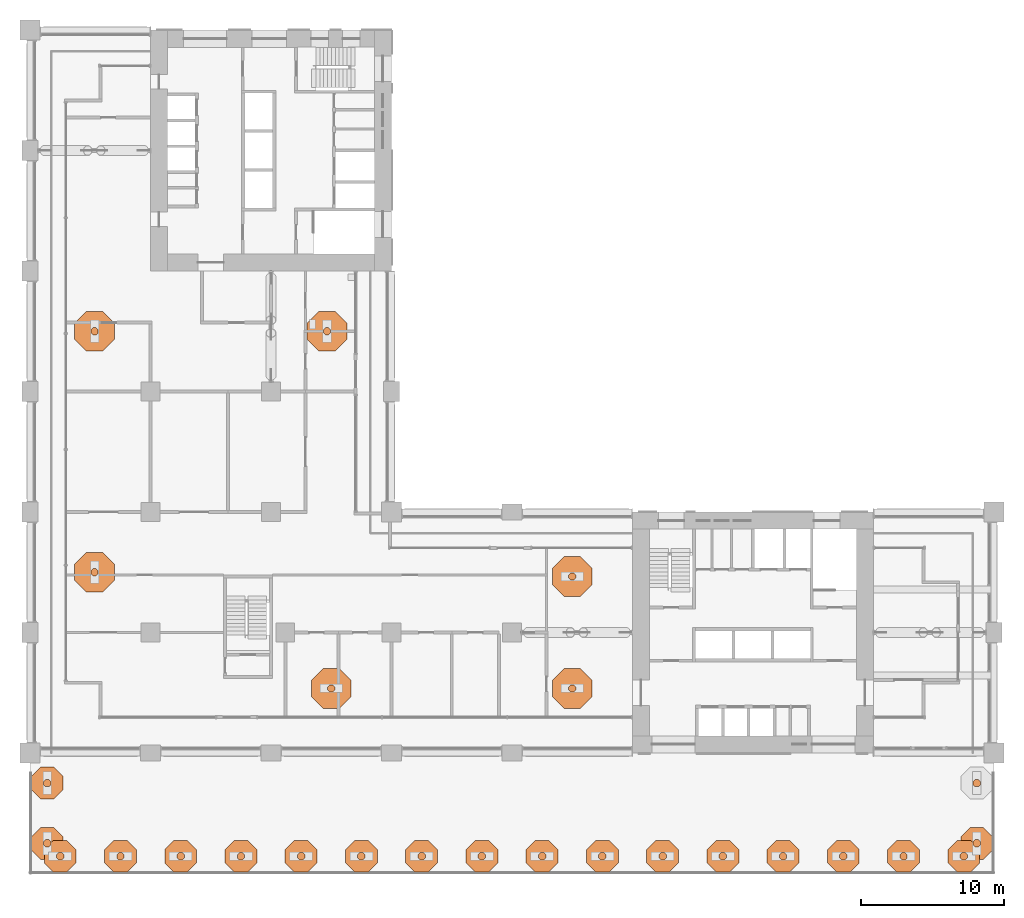
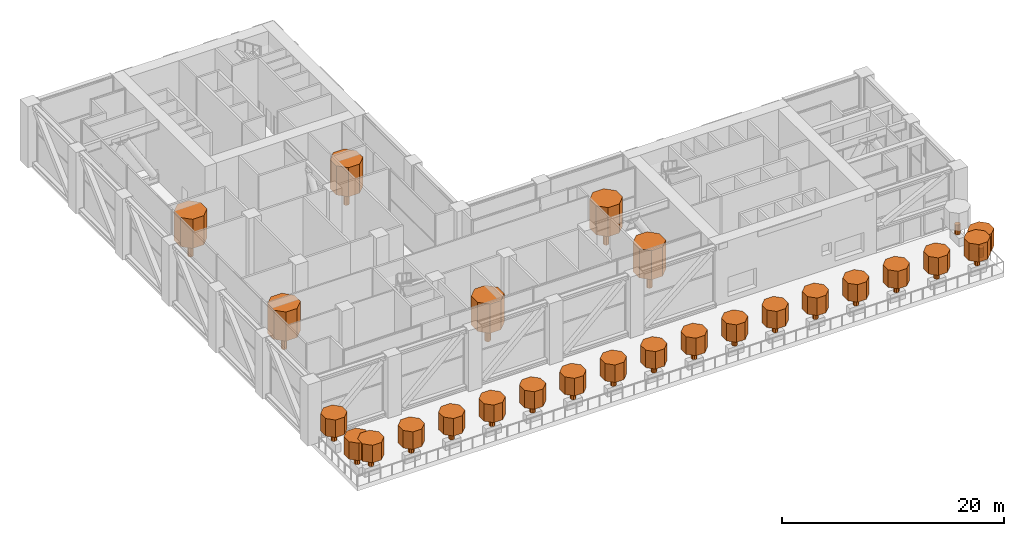
# One storey, part 27 of 28: 51 geographic elements.
"""IFC4 building model written with IfcOpenShell, lengths in metres."""

from ifc_helpers import new_model, si_unit, direction, frame, origin, place, context, subcontext, project, spatial, polyline, outline, extrude, material, element, save


model = new_model("IFC4")

# Units and contexts
model_context = context("Model", 3, precision=1e-05, world=origin(), true_north=direction((0.0, 1.0)))
body_context = subcontext(model_context, "Body", "Model", "MODEL_VIEW")
ifc_project = project(units=[si_unit("LENGTHUNIT", "METRE"), si_unit("AREAUNIT", "SQUARE_METRE"), si_unit("VOLUMEUNIT", "CUBIC_METRE"), si_unit("PLANEANGLEUNIT", "RADIAN"), si_unit("MASSUNIT", "GRAM", prefix="KILO")], contexts=[model_context])

# Site, building, storey
site_placement = place(None, origin())
site = spatial("IfcSite", under=ifc_project, at=site_placement, CompositionType="ELEMENT")
building_placement = place(site_placement, origin())
building = spatial("IfcBuilding", under=site, at=building_placement, Name="Vermilion Gate Residences", CompositionType="ELEMENT")
storey_placement = place(building_placement, frame((0.0, 0.0, 74.199951171875)))
storey = spatial("IfcBuildingStorey", under=building, at=storey_placement, Name="L18", CompositionType="ELEMENT", Elevation=74.199951171875)

# Geographic elements
ifc_material = material(Name="Foliage")
geographic_element_1_placement = place(storey_placement, frame((0.0, 0.0, 0.900146484375)))
element("IfcGeographicElement", 1, at=geographic_element_1_placement, inside=storey, material=ifc_material, Name="Tree (black pine)", ObjectType="TREE", PredefinedType="USERDEFINED", context=body_context, shape_type="SweptSolid", body=[
    extrude(outline(polyline([(66.254150390625, 2.205078125), (66.105224609375, 2.35400390625), (65.894775390625, 2.35400390625), (65.745849609375, 2.205078125), (65.745849609375, 1.994873046875), (65.894775390625, 1.845947265625), (66.105224609375, 1.845947265625), (66.254150390625, 1.994873046875), (66.254150390625, 2.205078125)])), origin(), (0.0, 0.0, 1.0), 1.079833984375),
])
geographic_element_2_placement = place(storey_placement, frame((0.0, 0.0, 1.97998046875)))
element("IfcGeographicElement", 2, at=geographic_element_2_placement, inside=storey, material=ifc_material, Name="Tree crown (black pine)", ObjectType="TREE", PredefinedType="USERDEFINED", context=body_context, shape_type="SweptSolid", body=[
    extrude(outline(polyline([(67.108642578125, 2.55908203125), (66.459228515625, 3.208740234375), (65.540771484375, 3.208740234375), (64.891357421875, 2.55908203125), (64.891357421875, 1.640869140625), (65.540771484375, 0.9912109375), (66.459228515625, 0.9912109375), (67.108642578125, 1.640869140625), (67.108642578125, 2.55908203125)])), origin(), (0.0, 0.0, 1.0), 1.920166015625),
])
geographic_element_3_placement = place(storey_placement, frame((0.0, 0.0, 0.900146484375)))
element("IfcGeographicElement", 3, at=geographic_element_3_placement, inside=storey, material=ifc_material, Name="Tree (fringe tree)", ObjectType="TREE", PredefinedType="USERDEFINED", context=body_context, shape_type="SweptSolid", body=[
    extrude(outline(polyline([(66.254150390625, 6.4052734375), (66.105224609375, 6.55419921875), (65.894775390625, 6.55419921875), (65.745849609375, 6.4052734375), (65.745849609375, 6.19482421875), (65.894775390625, 6.0458984375), (66.105224609375, 6.0458984375), (66.254150390625, 6.19482421875), (66.254150390625, 6.4052734375)])), origin(), (0.0, 0.0, 1.0), 1.079833984375),
])
geographic_element_4_placement = place(storey_placement, frame((0.0, 0.0, 0.900146484375)))
element("IfcGeographicElement", 4, at=geographic_element_4_placement, inside=storey, material=ifc_material, Name="Tree (fringe tree)", ObjectType="TREE", PredefinedType="USERDEFINED", context=body_context, shape_type="SweptSolid", body=[
    extrude(outline(polyline([(1.4541015625, 6.4052734375), (1.30517578125, 6.55419921875), (1.0947265625, 6.55419921875), (0.94580078125, 6.4052734375), (0.94580078125, 6.19482421875), (1.0947265625, 6.0458984375), (1.30517578125, 6.0458984375), (1.4541015625, 6.19482421875), (1.4541015625, 6.4052734375)])), origin(), (0.0, 0.0, 1.0), 1.079833984375),
])
geographic_element_5_placement = place(storey_placement, frame((0.0, 0.0, 1.97998046875)))
element("IfcGeographicElement", 5, at=geographic_element_5_placement, inside=storey, material=ifc_material, Name="Tree crown (fringe tree)", ObjectType="TREE", PredefinedType="USERDEFINED", context=body_context, shape_type="SweptSolid", body=[
    extrude(outline(polyline([(2.30859375, 6.75927734375), (1.6591796875, 7.40869140625), (0.74072265625, 7.40869140625), (0.09130859375, 6.75927734375), (0.09130859375, 5.8408203125), (0.74072265625, 5.19140625), (1.6591796875, 5.19140625), (2.30859375, 5.8408203125), (2.30859375, 6.75927734375)])), origin(), (0.0, 0.0, 1.0), 1.920166015625),
])
geographic_element_6_placement = place(storey_placement, frame((0.0, 0.0, 0.900146484375)))
element("IfcGeographicElement", 6, at=geographic_element_6_placement, inside=storey, material=ifc_material, Name="Tree (maple)", ObjectType="TREE", PredefinedType="USERDEFINED", context=body_context, shape_type="SweptSolid", body=[
    extrude(outline(polyline([(1.4541015625, 2.205078125), (1.30517578125, 2.35400390625), (1.0947265625, 2.35400390625), (0.94580078125, 2.205078125), (0.94580078125, 1.994873046875), (1.0947265625, 1.845947265625), (1.30517578125, 1.845947265625), (1.4541015625, 1.994873046875), (1.4541015625, 2.205078125)])), origin(), (0.0, 0.0, 1.0), 1.079833984375),
])
geographic_element_7_placement = place(storey_placement, frame((0.0, 0.0, 1.97998046875)))
element("IfcGeographicElement", 7, at=geographic_element_7_placement, inside=storey, material=ifc_material, Name="Tree crown (maple)", ObjectType="TREE", PredefinedType="USERDEFINED", context=body_context, shape_type="SweptSolid", body=[
    extrude(outline(polyline([(2.30859375, 2.55908203125), (1.6591796875, 3.208740234375), (0.74072265625, 3.208740234375), (0.09130859375, 2.55908203125), (0.09130859375, 1.640869140625), (0.74072265625, 0.9912109375), (1.6591796875, 0.9912109375), (2.30859375, 1.640869140625), (2.30859375, 2.55908203125)])), origin(), (0.0, 0.0, 1.0), 1.920166015625),
])
geographic_element_8_placement = place(storey_placement, frame((0.0, 0.0, 0.900146484375)))
element("IfcGeographicElement", 8, at=geographic_element_8_placement, inside=storey, material=ifc_material, Name="Tree (maple)", ObjectType="TREE", PredefinedType="USERDEFINED", context=body_context, shape_type="SweptSolid", body=[
    extrude(outline(polyline([(2.35400390625, 1.30517578125), (2.205078125, 1.4541015625), (1.994873046875, 1.4541015625), (1.845947265625, 1.30517578125), (1.845947265625, 1.0947265625), (1.994873046875, 0.94580078125), (2.205078125, 0.94580078125), (2.35400390625, 1.0947265625), (2.35400390625, 1.30517578125)])), origin(), (0.0, 0.0, 1.0), 1.079833984375),
])
geographic_element_9_placement = place(storey_placement, frame((0.0, 0.0, 1.97998046875)))
element("IfcGeographicElement", 9, at=geographic_element_9_placement, inside=storey, material=ifc_material, Name="Tree crown (maple)", ObjectType="TREE", PredefinedType="USERDEFINED", context=body_context, shape_type="SweptSolid", body=[
    extrude(outline(polyline([(3.208740234375, 1.6591796875), (2.55908203125, 2.30859375), (1.640869140625, 2.30859375), (0.9912109375, 1.6591796875), (0.9912109375, 0.74072265625), (1.640869140625, 0.09130859375), (2.55908203125, 0.09130859375), (3.208740234375, 0.74072265625), (3.208740234375, 1.6591796875)])), origin(), (0.0, 0.0, 1.0), 1.920166015625),
])
geographic_element_10_placement = place(storey_placement, frame((0.0, 0.0, 0.900146484375)))
element("IfcGeographicElement", 10, at=geographic_element_10_placement, inside=storey, material=ifc_material, Name="Tree (zelkova)", ObjectType="TREE", PredefinedType="USERDEFINED", context=body_context, shape_type="SweptSolid", body=[
    extrude(outline(polyline([(6.55419921875, 1.30517578125), (6.4052734375, 1.4541015625), (6.19482421875, 1.4541015625), (6.0458984375, 1.30517578125), (6.0458984375, 1.0947265625), (6.19482421875, 0.94580078125), (6.4052734375, 0.94580078125), (6.55419921875, 1.0947265625), (6.55419921875, 1.30517578125)])), origin(), (0.0, 0.0, 1.0), 1.079833984375),
])
geographic_element_11_placement = place(storey_placement, frame((0.0, 0.0, 1.97998046875)))
element("IfcGeographicElement", 11, at=geographic_element_11_placement, inside=storey, material=ifc_material, Name="Tree crown (zelkova)", ObjectType="TREE", PredefinedType="USERDEFINED", context=body_context, shape_type="SweptSolid", body=[
    extrude(outline(polyline([(7.40869140625, 1.6591796875), (6.75927734375, 2.30859375), (5.8408203125, 2.30859375), (5.19140625, 1.6591796875), (5.19140625, 0.74072265625), (5.8408203125, 0.09130859375), (6.75927734375, 0.09130859375), (7.40869140625, 0.74072265625), (7.40869140625, 1.6591796875)])), origin(), (0.0, 0.0, 1.0), 1.920166015625),
])
geographic_element_12_placement = place(storey_placement, frame((0.0, 0.0, 0.900146484375)))
element("IfcGeographicElement", 12, at=geographic_element_12_placement, inside=storey, material=ifc_material, Name="Tree (black pine)", ObjectType="TREE", PredefinedType="USERDEFINED", context=body_context, shape_type="SweptSolid", body=[
    extrude(outline(polyline([(10.754150390625, 1.30517578125), (10.605224609375, 1.4541015625), (10.394775390625, 1.4541015625), (10.245849609375, 1.30517578125), (10.245849609375, 1.0947265625), (10.394775390625, 0.94580078125), (10.605224609375, 0.94580078125), (10.754150390625, 1.0947265625), (10.754150390625, 1.30517578125)])), origin(), (0.0, 0.0, 1.0), 1.079833984375),
])
geographic_element_13_placement = place(storey_placement, frame((0.0, 0.0, 1.97998046875)))
element("IfcGeographicElement", 13, at=geographic_element_13_placement, inside=storey, material=ifc_material, Name="Tree crown (black pine)", ObjectType="TREE", PredefinedType="USERDEFINED", context=body_context, shape_type="SweptSolid", body=[
    extrude(outline(polyline([(11.608642578125, 1.6591796875), (10.959228515625, 2.30859375), (10.040771484375, 2.30859375), (9.391357421875, 1.6591796875), (9.391357421875, 0.74072265625), (10.040771484375, 0.09130859375), (10.959228515625, 0.09130859375), (11.608642578125, 0.74072265625), (11.608642578125, 1.6591796875)])), origin(), (0.0, 0.0, 1.0), 1.920166015625),
])
geographic_element_14_placement = place(storey_placement, frame((0.0, 0.0, 0.900146484375)))
element("IfcGeographicElement", 14, at=geographic_element_14_placement, inside=storey, material=ifc_material, Name="Tree (fringe tree)", ObjectType="TREE", PredefinedType="USERDEFINED", context=body_context, shape_type="SweptSolid", body=[
    extrude(outline(polyline([(14.9541015625, 1.30517578125), (14.80517578125, 1.4541015625), (14.5947265625, 1.4541015625), (14.44580078125, 1.30517578125), (14.44580078125, 1.0947265625), (14.5947265625, 0.94580078125), (14.80517578125, 0.94580078125), (14.9541015625, 1.0947265625), (14.9541015625, 1.30517578125)])), origin(), (0.0, 0.0, 1.0), 1.079833984375),
])
geographic_element_15_placement = place(storey_placement, frame((0.0, 0.0, 1.97998046875)))
element("IfcGeographicElement", 15, at=geographic_element_15_placement, inside=storey, material=ifc_material, Name="Tree crown (fringe tree)", ObjectType="TREE", PredefinedType="USERDEFINED", context=body_context, shape_type="SweptSolid", body=[
    extrude(outline(polyline([(15.80859375, 1.6591796875), (15.1591796875, 2.30859375), (14.24072265625, 2.30859375), (13.59130859375, 1.6591796875), (13.59130859375, 0.74072265625), (14.24072265625, 0.09130859375), (15.1591796875, 0.09130859375), (15.80859375, 0.74072265625), (15.80859375, 1.6591796875)])), origin(), (0.0, 0.0, 1.0), 1.920166015625),
])
geographic_element_16_placement = place(storey_placement, frame((0.0, 0.0, 0.900146484375)))
element("IfcGeographicElement", 16, at=geographic_element_16_placement, inside=storey, material=ifc_material, Name="Tree (maple)", ObjectType="TREE", PredefinedType="USERDEFINED", context=body_context, shape_type="SweptSolid", body=[
    extrude(outline(polyline([(19.154052734375, 1.30517578125), (19.005126953125, 1.4541015625), (18.794921875, 1.4541015625), (18.64599609375, 1.30517578125), (18.64599609375, 1.0947265625), (18.794921875, 0.94580078125), (19.005126953125, 0.94580078125), (19.154052734375, 1.0947265625), (19.154052734375, 1.30517578125)])), origin(), (0.0, 0.0, 1.0), 1.079833984375),
])
geographic_element_17_placement = place(storey_placement, frame((0.0, 0.0, 1.97998046875)))
element("IfcGeographicElement", 17, at=geographic_element_17_placement, inside=storey, material=ifc_material, Name="Tree crown (maple)", ObjectType="TREE", PredefinedType="USERDEFINED", context=body_context, shape_type="SweptSolid", body=[
    extrude(outline(polyline([(20.0087890625, 1.6591796875), (19.359130859375, 2.30859375), (18.44091796875, 2.30859375), (17.791259765625, 1.6591796875), (17.791259765625, 0.74072265625), (18.44091796875, 0.09130859375), (19.359130859375, 0.09130859375), (20.0087890625, 0.74072265625), (20.0087890625, 1.6591796875)])), origin(), (0.0, 0.0, 1.0), 1.920166015625),
])
geographic_element_18_placement = place(storey_placement, frame((0.0, 0.0, 0.900146484375)))
element("IfcGeographicElement", 18, at=geographic_element_18_placement, inside=storey, material=ifc_material, Name="Tree (zelkova)", ObjectType="TREE", PredefinedType="USERDEFINED", context=body_context, shape_type="SweptSolid", body=[
    extrude(outline(polyline([(23.35400390625, 1.30517578125), (23.205078125, 1.4541015625), (22.994873046875, 1.4541015625), (22.845947265625, 1.30517578125), (22.845947265625, 1.0947265625), (22.994873046875, 0.94580078125), (23.205078125, 0.94580078125), (23.35400390625, 1.0947265625), (23.35400390625, 1.30517578125)])), origin(), (0.0, 0.0, 1.0), 1.079833984375),
])
geographic_element_19_placement = place(storey_placement, frame((0.0, 0.0, 1.97998046875)))
element("IfcGeographicElement", 19, at=geographic_element_19_placement, inside=storey, material=ifc_material, Name="Tree crown (zelkova)", ObjectType="TREE", PredefinedType="USERDEFINED", context=body_context, shape_type="SweptSolid", body=[
    extrude(outline(polyline([(24.208740234375, 1.6591796875), (23.55908203125, 2.30859375), (22.640869140625, 2.30859375), (21.9912109375, 1.6591796875), (21.9912109375, 0.74072265625), (22.640869140625, 0.09130859375), (23.55908203125, 0.09130859375), (24.208740234375, 0.74072265625), (24.208740234375, 1.6591796875)])), origin(), (0.0, 0.0, 1.0), 1.920166015625),
])
geographic_element_20_placement = place(storey_placement, frame((0.0, 0.0, 0.900146484375)))
element("IfcGeographicElement", 20, at=geographic_element_20_placement, inside=storey, material=ifc_material, Name="Tree (black pine)", ObjectType="TREE", PredefinedType="USERDEFINED", context=body_context, shape_type="SweptSolid", body=[
    extrude(outline(polyline([(27.55419921875, 1.30517578125), (27.4052734375, 1.4541015625), (27.19482421875, 1.4541015625), (27.0458984375, 1.30517578125), (27.0458984375, 1.0947265625), (27.19482421875, 0.94580078125), (27.4052734375, 0.94580078125), (27.55419921875, 1.0947265625), (27.55419921875, 1.30517578125)])), origin(), (0.0, 0.0, 1.0), 1.079833984375),
])
geographic_element_21_placement = place(storey_placement, frame((0.0, 0.0, 1.97998046875)))
element("IfcGeographicElement", 21, at=geographic_element_21_placement, inside=storey, material=ifc_material, Name="Tree crown (black pine)", ObjectType="TREE", PredefinedType="USERDEFINED", context=body_context, shape_type="SweptSolid", body=[
    extrude(outline(polyline([(28.40869140625, 1.6591796875), (27.75927734375, 2.30859375), (26.8408203125, 2.30859375), (26.19140625, 1.6591796875), (26.19140625, 0.74072265625), (26.8408203125, 0.09130859375), (27.75927734375, 0.09130859375), (28.40869140625, 0.74072265625), (28.40869140625, 1.6591796875)])), origin(), (0.0, 0.0, 1.0), 1.920166015625),
])
geographic_element_22_placement = place(storey_placement, frame((0.0, 0.0, 0.900146484375)))
element("IfcGeographicElement", 22, at=geographic_element_22_placement, inside=storey, material=ifc_material, Name="Tree (fringe tree)", ObjectType="TREE", PredefinedType="USERDEFINED", context=body_context, shape_type="SweptSolid", body=[
    extrude(outline(polyline([(31.754150390625, 1.30517578125), (31.605224609375, 1.4541015625), (31.394775390625, 1.4541015625), (31.245849609375, 1.30517578125), (31.245849609375, 1.0947265625), (31.394775390625, 0.94580078125), (31.605224609375, 0.94580078125), (31.754150390625, 1.0947265625), (31.754150390625, 1.30517578125)])), origin(), (0.0, 0.0, 1.0), 1.079833984375),
])
geographic_element_23_placement = place(storey_placement, frame((0.0, 0.0, 1.97998046875)))
element("IfcGeographicElement", 23, at=geographic_element_23_placement, inside=storey, material=ifc_material, Name="Tree crown (fringe tree)", ObjectType="TREE", PredefinedType="USERDEFINED", context=body_context, shape_type="SweptSolid", body=[
    extrude(outline(polyline([(32.608642578125, 1.6591796875), (31.959228515625, 2.30859375), (31.040771484375, 2.30859375), (30.391357421875, 1.6591796875), (30.391357421875, 0.74072265625), (31.040771484375, 0.09130859375), (31.959228515625, 0.09130859375), (32.608642578125, 0.74072265625), (32.608642578125, 1.6591796875)])), origin(), (0.0, 0.0, 1.0), 1.920166015625),
])
geographic_element_24_placement = place(storey_placement, frame((0.0, 0.0, 0.900146484375)))
element("IfcGeographicElement", 24, at=geographic_element_24_placement, inside=storey, material=ifc_material, Name="Tree (maple)", ObjectType="TREE", PredefinedType="USERDEFINED", context=body_context, shape_type="SweptSolid", body=[
    extrude(outline(polyline([(35.9541015625, 1.30517578125), (35.80517578125, 1.4541015625), (35.5947265625, 1.4541015625), (35.44580078125, 1.30517578125), (35.44580078125, 1.0947265625), (35.5947265625, 0.94580078125), (35.80517578125, 0.94580078125), (35.9541015625, 1.0947265625), (35.9541015625, 1.30517578125)])), origin(), (0.0, 0.0, 1.0), 1.079833984375),
])
geographic_element_25_placement = place(storey_placement, frame((0.0, 0.0, 1.97998046875)))
element("IfcGeographicElement", 25, at=geographic_element_25_placement, inside=storey, material=ifc_material, Name="Tree crown (maple)", ObjectType="TREE", PredefinedType="USERDEFINED", context=body_context, shape_type="SweptSolid", body=[
    extrude(outline(polyline([(36.80859375, 1.6591796875), (36.1591796875, 2.30859375), (35.24072265625, 2.30859375), (34.59130859375, 1.6591796875), (34.59130859375, 0.74072265625), (35.24072265625, 0.09130859375), (36.1591796875, 0.09130859375), (36.80859375, 0.74072265625), (36.80859375, 1.6591796875)])), origin(), (0.0, 0.0, 1.0), 1.920166015625),
])
geographic_element_26_placement = place(storey_placement, frame((0.0, 0.0, 0.900146484375)))
element("IfcGeographicElement", 26, at=geographic_element_26_placement, inside=storey, material=ifc_material, Name="Tree (zelkova)", ObjectType="TREE", PredefinedType="USERDEFINED", context=body_context, shape_type="SweptSolid", body=[
    extrude(outline(polyline([(40.154052734375, 1.30517578125), (40.005126953125, 1.4541015625), (39.794921875, 1.4541015625), (39.64599609375, 1.30517578125), (39.64599609375, 1.0947265625), (39.794921875, 0.94580078125), (40.005126953125, 0.94580078125), (40.154052734375, 1.0947265625), (40.154052734375, 1.30517578125)])), origin(), (0.0, 0.0, 1.0), 1.079833984375),
])
geographic_element_27_placement = place(storey_placement, frame((0.0, 0.0, 1.97998046875)))
element("IfcGeographicElement", 27, at=geographic_element_27_placement, inside=storey, material=ifc_material, Name="Tree crown (zelkova)", ObjectType="TREE", PredefinedType="USERDEFINED", context=body_context, shape_type="SweptSolid", body=[
    extrude(outline(polyline([(41.0087890625, 1.6591796875), (40.359130859375, 2.30859375), (39.44091796875, 2.30859375), (38.791259765625, 1.6591796875), (38.791259765625, 0.74072265625), (39.44091796875, 0.09130859375), (40.359130859375, 0.09130859375), (41.0087890625, 0.74072265625), (41.0087890625, 1.6591796875)])), origin(), (0.0, 0.0, 1.0), 1.920166015625),
])
geographic_element_28_placement = place(storey_placement, frame((0.0, 0.0, 0.900146484375)))
element("IfcGeographicElement", 28, at=geographic_element_28_placement, inside=storey, material=ifc_material, Name="Tree (black pine)", ObjectType="TREE", PredefinedType="USERDEFINED", context=body_context, shape_type="SweptSolid", body=[
    extrude(outline(polyline([(44.35400390625, 1.30517578125), (44.205078125, 1.4541015625), (43.994873046875, 1.4541015625), (43.845947265625, 1.30517578125), (43.845947265625, 1.0947265625), (43.994873046875, 0.94580078125), (44.205078125, 0.94580078125), (44.35400390625, 1.0947265625), (44.35400390625, 1.30517578125)])), origin(), (0.0, 0.0, 1.0), 1.079833984375),
])
geographic_element_29_placement = place(storey_placement, frame((0.0, 0.0, 1.97998046875)))
element("IfcGeographicElement", 29, at=geographic_element_29_placement, inside=storey, material=ifc_material, Name="Tree crown (black pine)", ObjectType="TREE", PredefinedType="USERDEFINED", context=body_context, shape_type="SweptSolid", body=[
    extrude(outline(polyline([(45.208740234375, 1.6591796875), (44.55908203125, 2.30859375), (43.640869140625, 2.30859375), (42.9912109375, 1.6591796875), (42.9912109375, 0.74072265625), (43.640869140625, 0.09130859375), (44.55908203125, 0.09130859375), (45.208740234375, 0.74072265625), (45.208740234375, 1.6591796875)])), origin(), (0.0, 0.0, 1.0), 1.920166015625),
])
geographic_element_30_placement = place(storey_placement, frame((0.0, 0.0, 0.900146484375)))
element("IfcGeographicElement", 30, at=geographic_element_30_placement, inside=storey, material=ifc_material, Name="Tree (fringe tree)", ObjectType="TREE", PredefinedType="USERDEFINED", context=body_context, shape_type="SweptSolid", body=[
    extrude(outline(polyline([(48.55419921875, 1.30517578125), (48.4052734375, 1.4541015625), (48.19482421875, 1.4541015625), (48.0458984375, 1.30517578125), (48.0458984375, 1.0947265625), (48.19482421875, 0.94580078125), (48.4052734375, 0.94580078125), (48.55419921875, 1.0947265625), (48.55419921875, 1.30517578125)])), origin(), (0.0, 0.0, 1.0), 1.079833984375),
])
geographic_element_31_placement = place(storey_placement, frame((0.0, 0.0, 1.97998046875)))
element("IfcGeographicElement", 31, at=geographic_element_31_placement, inside=storey, material=ifc_material, Name="Tree crown (fringe tree)", ObjectType="TREE", PredefinedType="USERDEFINED", context=body_context, shape_type="SweptSolid", body=[
    extrude(outline(polyline([(49.40869140625, 1.6591796875), (48.75927734375, 2.30859375), (47.8408203125, 2.30859375), (47.19140625, 1.6591796875), (47.19140625, 0.74072265625), (47.8408203125, 0.09130859375), (48.75927734375, 0.09130859375), (49.40869140625, 0.74072265625), (49.40869140625, 1.6591796875)])), origin(), (0.0, 0.0, 1.0), 1.920166015625),
])
geographic_element_32_placement = place(storey_placement, frame((0.0, 0.0, 0.900146484375)))
element("IfcGeographicElement", 32, at=geographic_element_32_placement, inside=storey, material=ifc_material, Name="Tree (maple)", ObjectType="TREE", PredefinedType="USERDEFINED", context=body_context, shape_type="SweptSolid", body=[
    extrude(outline(polyline([(52.754150390625, 1.30517578125), (52.605224609375, 1.4541015625), (52.394775390625, 1.4541015625), (52.245849609375, 1.30517578125), (52.245849609375, 1.0947265625), (52.394775390625, 0.94580078125), (52.605224609375, 0.94580078125), (52.754150390625, 1.0947265625), (52.754150390625, 1.30517578125)])), origin(), (0.0, 0.0, 1.0), 1.079833984375),
])
geographic_element_33_placement = place(storey_placement, frame((0.0, 0.0, 1.97998046875)))
element("IfcGeographicElement", 33, at=geographic_element_33_placement, inside=storey, material=ifc_material, Name="Tree crown (maple)", ObjectType="TREE", PredefinedType="USERDEFINED", context=body_context, shape_type="SweptSolid", body=[
    extrude(outline(polyline([(53.608642578125, 1.6591796875), (52.959228515625, 2.30859375), (52.040771484375, 2.30859375), (51.391357421875, 1.6591796875), (51.391357421875, 0.74072265625), (52.040771484375, 0.09130859375), (52.959228515625, 0.09130859375), (53.608642578125, 0.74072265625), (53.608642578125, 1.6591796875)])), origin(), (0.0, 0.0, 1.0), 1.920166015625),
])
geographic_element_34_placement = place(storey_placement, frame((0.0, 0.0, 0.900146484375)))
element("IfcGeographicElement", 34, at=geographic_element_34_placement, inside=storey, material=ifc_material, Name="Tree (zelkova)", ObjectType="TREE", PredefinedType="USERDEFINED", context=body_context, shape_type="SweptSolid", body=[
    extrude(outline(polyline([(56.9541015625, 1.30517578125), (56.80517578125, 1.4541015625), (56.5947265625, 1.4541015625), (56.44580078125, 1.30517578125), (56.44580078125, 1.0947265625), (56.5947265625, 0.94580078125), (56.80517578125, 0.94580078125), (56.9541015625, 1.0947265625), (56.9541015625, 1.30517578125)])), origin(), (0.0, 0.0, 1.0), 1.079833984375),
])
geographic_element_35_placement = place(storey_placement, frame((0.0, 0.0, 1.97998046875)))
element("IfcGeographicElement", 35, at=geographic_element_35_placement, inside=storey, material=ifc_material, Name="Tree crown (zelkova)", ObjectType="TREE", PredefinedType="USERDEFINED", context=body_context, shape_type="SweptSolid", body=[
    extrude(outline(polyline([(57.80859375, 1.6591796875), (57.1591796875, 2.30859375), (56.24072265625, 2.30859375), (55.59130859375, 1.6591796875), (55.59130859375, 0.74072265625), (56.24072265625, 0.09130859375), (57.1591796875, 0.09130859375), (57.80859375, 0.74072265625), (57.80859375, 1.6591796875)])), origin(), (0.0, 0.0, 1.0), 1.920166015625),
])
geographic_element_36_placement = place(storey_placement, frame((0.0, 0.0, 0.900146484375)))
element("IfcGeographicElement", 36, at=geographic_element_36_placement, inside=storey, material=ifc_material, Name="Tree (black pine)", ObjectType="TREE", PredefinedType="USERDEFINED", context=body_context, shape_type="SweptSolid", body=[
    extrude(outline(polyline([(61.154052734375, 1.30517578125), (61.005126953125, 1.4541015625), (60.794921875, 1.4541015625), (60.64599609375, 1.30517578125), (60.64599609375, 1.0947265625), (60.794921875, 0.94580078125), (61.005126953125, 0.94580078125), (61.154052734375, 1.0947265625), (61.154052734375, 1.30517578125)])), origin(), (0.0, 0.0, 1.0), 1.079833984375),
])
geographic_element_37_placement = place(storey_placement, frame((0.0, 0.0, 1.97998046875)))
element("IfcGeographicElement", 37, at=geographic_element_37_placement, inside=storey, material=ifc_material, Name="Tree crown (black pine)", ObjectType="TREE", PredefinedType="USERDEFINED", context=body_context, shape_type="SweptSolid", body=[
    extrude(outline(polyline([(62.0087890625, 1.6591796875), (61.359130859375, 2.30859375), (60.44091796875, 2.30859375), (59.791259765625, 1.6591796875), (59.791259765625, 0.74072265625), (60.44091796875, 0.09130859375), (61.359130859375, 0.09130859375), (62.0087890625, 0.74072265625), (62.0087890625, 1.6591796875)])), origin(), (0.0, 0.0, 1.0), 1.920166015625),
])
geographic_element_38_placement = place(storey_placement, frame((0.0, 0.0, 0.900146484375)))
element("IfcGeographicElement", 38, at=geographic_element_38_placement, inside=storey, material=ifc_material, Name="Tree (fringe tree)", ObjectType="TREE", PredefinedType="USERDEFINED", context=body_context, shape_type="SweptSolid", body=[
    extrude(outline(polyline([(65.35400390625, 1.30517578125), (65.205078125, 1.4541015625), (64.994873046875, 1.4541015625), (64.845947265625, 1.30517578125), (64.845947265625, 1.0947265625), (64.994873046875, 0.94580078125), (65.205078125, 0.94580078125), (65.35400390625, 1.0947265625), (65.35400390625, 1.30517578125)])), origin(), (0.0, 0.0, 1.0), 1.079833984375),
])
geographic_element_39_placement = place(storey_placement, frame((0.0, 0.0, 1.97998046875)))
element("IfcGeographicElement", 39, at=geographic_element_39_placement, inside=storey, material=ifc_material, Name="Tree crown (fringe tree)", ObjectType="TREE", PredefinedType="USERDEFINED", context=body_context, shape_type="SweptSolid", body=[
    extrude(outline(polyline([(66.208740234375, 1.6591796875), (65.55908203125, 2.30859375), (64.640869140625, 2.30859375), (63.9912109375, 1.6591796875), (63.9912109375, 0.74072265625), (64.640869140625, 0.09130859375), (65.55908203125, 0.09130859375), (66.208740234375, 0.74072265625), (66.208740234375, 1.6591796875)])), origin(), (0.0, 0.0, 1.0), 1.920166015625),
])
geographic_element_40_placement = place(storey_placement, frame((0.0, 0.0, 0.900146484375)))
element("IfcGeographicElement", 40, at=geographic_element_40_placement, inside=storey, material=ifc_material, Name="Tree (black pine)", ObjectType="TREE", PredefinedType="USERDEFINED", context=body_context, shape_type="SweptSolid", body=[
    extrude(outline(polyline([(4.754150390625, 21.105224609375), (4.605224609375, 21.254150390625), (4.394775390625, 21.254150390625), (4.245849609375, 21.105224609375), (4.245849609375, 20.894775390625), (4.394775390625, 20.745849609375), (4.605224609375, 20.745849609375), (4.754150390625, 20.894775390625), (4.754150390625, 21.105224609375)])), origin(), (0.0, 0.0, 1.0), 1.7998046875),
])
geographic_element_41_placement = place(storey_placement, frame((0.0, 0.0, 2.699951171875)))
element("IfcGeographicElement", 41, at=geographic_element_41_placement, inside=storey, material=ifc_material, Name="Tree crown (black pine)", ObjectType="TREE", PredefinedType="USERDEFINED", context=body_context, shape_type="SweptSolid", body=[
    extrude(outline(polyline([(5.8857421875, 21.573974609375), (5.073974609375, 22.3857421875), (3.926025390625, 22.3857421875), (3.1142578125, 21.573974609375), (3.1142578125, 20.426025390625), (3.926025390625, 19.6142578125), (5.073974609375, 19.6142578125), (5.8857421875, 20.426025390625), (5.8857421875, 21.573974609375)])), origin(), (0.0, 0.0, 1.0), 3.2001953125),
])
geographic_element_42_placement = place(storey_placement, frame((0.0, 0.0, 0.900146484375)))
element("IfcGeographicElement", 42, at=geographic_element_42_placement, inside=storey, material=ifc_material, Name="Tree (fringe tree)", ObjectType="TREE", PredefinedType="USERDEFINED", context=body_context, shape_type="SweptSolid", body=[
    extrude(outline(polyline([(4.754150390625, 37.9052734375), (4.605224609375, 38.05419921875), (4.394775390625, 38.05419921875), (4.245849609375, 37.9052734375), (4.245849609375, 37.69482421875), (4.394775390625, 37.5458984375), (4.605224609375, 37.5458984375), (4.754150390625, 37.69482421875), (4.754150390625, 37.9052734375)])), origin(), (0.0, 0.0, 1.0), 1.7998046875),
])
geographic_element_43_placement = place(storey_placement, frame((0.0, 0.0, 2.699951171875)))
element("IfcGeographicElement", 43, at=geographic_element_43_placement, inside=storey, material=ifc_material, Name="Tree crown (fringe tree)", ObjectType="TREE", PredefinedType="USERDEFINED", context=body_context, shape_type="SweptSolid", body=[
    extrude(outline(polyline([(5.8857421875, 38.3740234375), (5.073974609375, 39.185791015625), (3.926025390625, 39.185791015625), (3.1142578125, 38.3740234375), (3.1142578125, 37.22607421875), (3.926025390625, 36.414306640625), (5.073974609375, 36.414306640625), (5.8857421875, 37.22607421875), (5.8857421875, 38.3740234375)])), origin(), (0.0, 0.0, 1.0), 3.2001953125),
])
geographic_element_44_placement = place(storey_placement, frame((0.0, 0.0, 0.900146484375)))
element("IfcGeographicElement", 44, at=geographic_element_44_placement, inside=storey, material=ifc_material, Name="Tree (maple)", ObjectType="TREE", PredefinedType="USERDEFINED", context=body_context, shape_type="SweptSolid", body=[
    extrude(outline(polyline([(21.254150390625, 13.005126953125), (21.105224609375, 13.154052734375), (20.894775390625, 13.154052734375), (20.745849609375, 13.005126953125), (20.745849609375, 12.794921875), (20.894775390625, 12.64599609375), (21.105224609375, 12.64599609375), (21.254150390625, 12.794921875), (21.254150390625, 13.005126953125)])), origin(), (0.0, 0.0, 1.0), 1.7998046875),
])
geographic_element_45_placement = place(storey_placement, frame((0.0, 0.0, 2.699951171875)))
element("IfcGeographicElement", 45, at=geographic_element_45_placement, inside=storey, material=ifc_material, Name="Tree crown (maple)", ObjectType="TREE", PredefinedType="USERDEFINED", context=body_context, shape_type="SweptSolid", body=[
    extrude(outline(polyline([(22.3857421875, 13.47412109375), (21.573974609375, 14.285888671875), (20.426025390625, 14.285888671875), (19.6142578125, 13.47412109375), (19.6142578125, 12.325927734375), (20.426025390625, 11.51416015625), (21.573974609375, 11.51416015625), (22.3857421875, 12.325927734375), (22.3857421875, 13.47412109375)])), origin(), (0.0, 0.0, 1.0), 3.2001953125),
])
geographic_element_46_placement = place(storey_placement, frame((0.0, 0.0, 0.900146484375)))
element("IfcGeographicElement", 46, at=geographic_element_46_placement, inside=storey, material=ifc_material, Name="Tree (zelkova)", ObjectType="TREE", PredefinedType="USERDEFINED", context=body_context, shape_type="SweptSolid", body=[
    extrude(outline(polyline([(38.05419921875, 13.005126953125), (37.9052734375, 13.154052734375), (37.69482421875, 13.154052734375), (37.5458984375, 13.005126953125), (37.5458984375, 12.794921875), (37.69482421875, 12.64599609375), (37.9052734375, 12.64599609375), (38.05419921875, 12.794921875), (38.05419921875, 13.005126953125)])), origin(), (0.0, 0.0, 1.0), 1.7998046875),
])
geographic_element_47_placement = place(storey_placement, frame((0.0, 0.0, 2.699951171875)))
element("IfcGeographicElement", 47, at=geographic_element_47_placement, inside=storey, material=ifc_material, Name="Tree crown (zelkova)", ObjectType="TREE", PredefinedType="USERDEFINED", context=body_context, shape_type="SweptSolid", body=[
    extrude(outline(polyline([(39.185791015625, 13.47412109375), (38.3740234375, 14.285888671875), (37.22607421875, 14.285888671875), (36.414306640625, 13.47412109375), (36.414306640625, 12.325927734375), (37.22607421875, 11.51416015625), (38.3740234375, 11.51416015625), (39.185791015625, 12.325927734375), (39.185791015625, 13.47412109375)])), origin(), (0.0, 0.0, 1.0), 3.2001953125),
])
geographic_element_48_placement = place(storey_placement, frame((0.0, 0.0, 0.900146484375)))
element("IfcGeographicElement", 48, at=geographic_element_48_placement, inside=storey, material=ifc_material, Name="Tree (black pine)", ObjectType="TREE", PredefinedType="USERDEFINED", context=body_context, shape_type="SweptSolid", body=[
    extrude(outline(polyline([(38.05419921875, 20.80517578125), (37.9052734375, 20.9541015625), (37.69482421875, 20.9541015625), (37.5458984375, 20.80517578125), (37.5458984375, 20.5947265625), (37.69482421875, 20.44580078125), (37.9052734375, 20.44580078125), (38.05419921875, 20.5947265625), (38.05419921875, 20.80517578125)])), origin(), (0.0, 0.0, 1.0), 1.7998046875),
])
geographic_element_49_placement = place(storey_placement, frame((0.0, 0.0, 2.699951171875)))
element("IfcGeographicElement", 49, at=geographic_element_49_placement, inside=storey, material=ifc_material, Name="Tree crown (black pine)", ObjectType="TREE", PredefinedType="USERDEFINED", context=body_context, shape_type="SweptSolid", body=[
    extrude(outline(polyline([(39.185791015625, 21.27392578125), (38.3740234375, 22.085693359375), (37.22607421875, 22.085693359375), (36.414306640625, 21.27392578125), (36.414306640625, 20.1259765625), (37.22607421875, 19.314208984375), (38.3740234375, 19.314208984375), (39.185791015625, 20.1259765625), (39.185791015625, 21.27392578125)])), origin(), (0.0, 0.0, 1.0), 3.2001953125),
])
geographic_element_50_placement = place(storey_placement, frame((0.0, 0.0, 0.900146484375)))
element("IfcGeographicElement", 50, at=geographic_element_50_placement, inside=storey, material=ifc_material, Name="Tree (fringe tree)", ObjectType="TREE", PredefinedType="USERDEFINED", context=body_context, shape_type="SweptSolid", body=[
    extrude(outline(polyline([(20.9541015625, 37.9052734375), (20.80517578125, 38.05419921875), (20.5947265625, 38.05419921875), (20.44580078125, 37.9052734375), (20.44580078125, 37.69482421875), (20.5947265625, 37.5458984375), (20.80517578125, 37.5458984375), (20.9541015625, 37.69482421875), (20.9541015625, 37.9052734375)])), origin(), (0.0, 0.0, 1.0), 1.7998046875),
])
geographic_element_51_placement = place(storey_placement, frame((0.0, 0.0, 2.699951171875)))
element("IfcGeographicElement", 51, at=geographic_element_51_placement, inside=storey, material=ifc_material, Name="Tree crown (fringe tree)", ObjectType="TREE", PredefinedType="USERDEFINED", context=body_context, shape_type="SweptSolid", body=[
    extrude(outline(polyline([(22.085693359375, 38.3740234375), (21.27392578125, 39.185791015625), (20.1259765625, 39.185791015625), (19.314208984375, 38.3740234375), (19.314208984375, 37.22607421875), (20.1259765625, 36.414306640625), (21.27392578125, 36.414306640625), (22.085693359375, 37.22607421875), (22.085693359375, 38.3740234375)])), origin(), (0.0, 0.0, 1.0), 3.2001953125),
])

save(model, "model.ifc")
